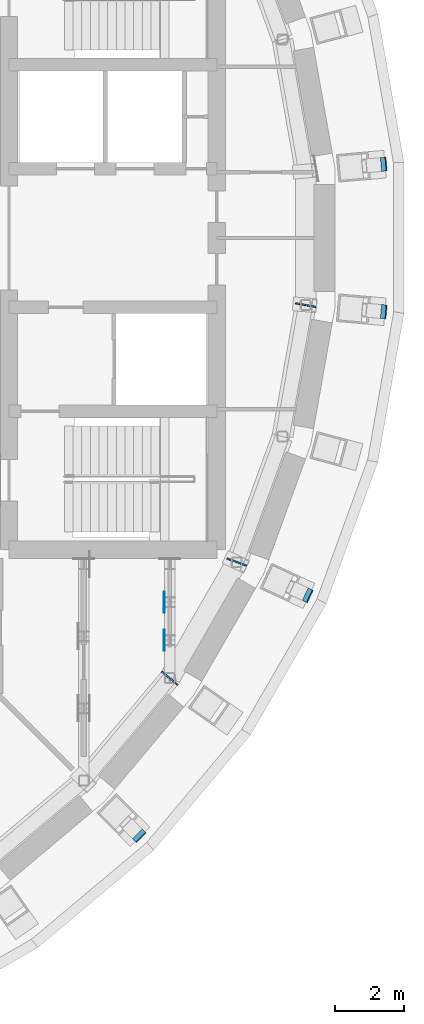
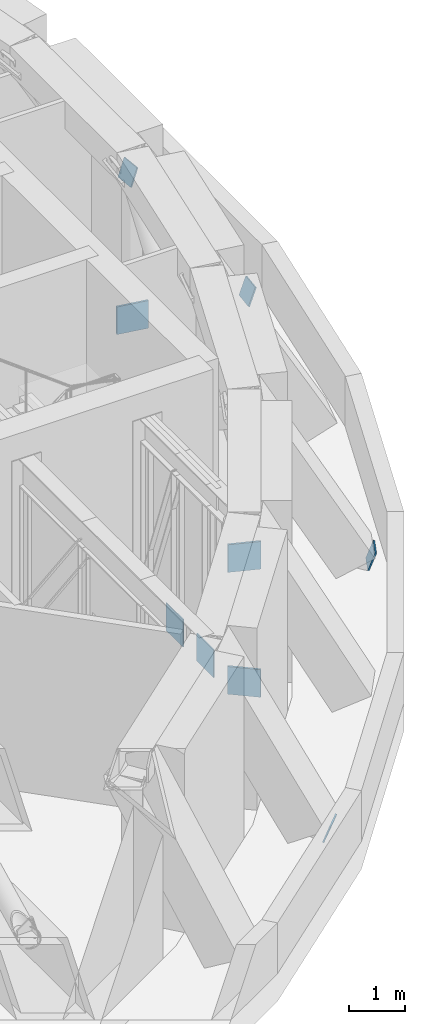
# One storey, part 18 of 20: 9 discrete accessories.
"""IFC4 building model written with IfcOpenShell, lengths in metres."""

from ifc_helpers import new_model, si_unit, direction, frame, origin, origin_2d, place, context, subcontext, project, spatial, rectangle, extrude, material, material_profile, profile_set, type_object, element, save


model = new_model("IFC4")

# Units and contexts
model_context = context("Model", 3, precision=1e-05, world=origin(), true_north=direction((0.0, 1.0)))
body_context = subcontext(model_context, "Body", "Model", "MODEL_VIEW")
ifc_project = project(units=[si_unit("LENGTHUNIT", "METRE"), si_unit("AREAUNIT", "SQUARE_METRE"), si_unit("VOLUMEUNIT", "CUBIC_METRE"), si_unit("PLANEANGLEUNIT", "RADIAN"), si_unit("MASSUNIT", "GRAM", prefix="KILO")], contexts=[model_context])

# Site, building, storey
site_placement = place(None, origin())
site = spatial("IfcSite", under=ifc_project, at=site_placement, CompositionType="ELEMENT")
building_placement = place(site_placement, origin())
building = spatial("IfcBuilding", under=site, at=building_placement, Name="Saqina Gate Tower", CompositionType="ELEMENT")
storey_placement = place(building_placement, frame((0.0, 0.0, 220.199951171875)))
storey = spatial("IfcBuildingStorey", under=building, at=storey_placement, Name="L63", CompositionType="ELEMENT", Elevation=220.199951171875)

# Discrete accessories
ifc_material_1 = material(Name="Steel S460", Category="steel")
ifc_material_profile_1 = material_profile(ifc_material_1, rectangle(XDim=0.39990234375, YDim=0.39990234375, at=origin_2d()), Name="STR-END PLATE-BOX 400x400x30")
ifc_profile_set_1 = profile_set([ifc_material_profile_1], Name="Steel S460")
discrete_accessory_type_1 = type_object("IfcDiscreteAccessoryType", Name="STR-END PLATE-BOX 400x400x30", PredefinedType="USERDEFINED", material=ifc_profile_set_1)
discrete_accessory_1_placement = place(storey_placement, frame((24.30712890625, 2.126708984375, 0.1884765625), z_axis=(0.938783330173, 0.081633333059, -0.33469666554), x_axis=(0.086629610545, -0.996240588702, -1.6447e-08)))
element("IfcDiscreteAccessory", 1, at=discrete_accessory_1_placement, inside=storey, type_object=discrete_accessory_type_1, Name="END PLATE NODE TIE BEAM L63 01 FOOT START", ObjectType="END PLATE", PredefinedType="USERDEFINED", context=body_context, shape_type="SweptSolid", body=[
    extrude(rectangle(XDim=0.39990234375, YDim=0.39990234375, at=origin_2d()), origin(), (0.0, 0.0, 1.0), 0.02978515625),
])
discrete_accessory_2_placement = place(storey_placement, frame((17.25341796875, -17.25341796875, 0.1884765625), z_axis=(0.666666666667, -0.666666666667, -0.333333333333), x_axis=(-0.707106781187, -0.707106781187, 0.0)))
element("IfcDiscreteAccessory", 2, at=discrete_accessory_2_placement, inside=storey, type_object=discrete_accessory_type_1, Name="END PLATE NODE TIE BEAM L63 32 FOOT START", ObjectType="END PLATE", PredefinedType="USERDEFINED", context=body_context, shape_type="SweptSolid", body=[
    extrude(rectangle(XDim=0.39990234375, YDim=0.39990234375, at=origin_2d()), origin(), (0.0, 0.0, 1.0), 0.030029296875),
])
for number, where, z_axis, x_axis, name in (
    (3, (22.114013671875, -10.311767578125, 0.1884765625), (0.852058384385, -0.401450584951, -0.335907632306), (-0.426216137466, -0.904621359555, -7.72641e-07), "END PLATE NODE TIE BEAM L63 34 FOOT START"),
    (4, (24.30712890625, -2.126708984375, 0.1884765625), (0.938783330173, -0.081633333059, -0.33469666554), (-0.086629610545, -0.996240588702, 1.6447e-08), "END PLATE NODE TIE BEAM L63 36 FOOT START"),
):
    element("IfcDiscreteAccessory", number, at=place(storey_placement, frame(where, z_axis=z_axis, x_axis=x_axis)), inside=storey, type_object=discrete_accessory_type_1, Name=name, ObjectType="END PLATE", PredefinedType="USERDEFINED", context=body_context, shape_type="SweptSolid", body=[
        extrude(rectangle(XDim=0.39990234375, YDim=0.39990234375, at=origin_2d()), origin(), (0.0, 0.0, 1.0), 0.02978515625),
    ])
ifc_material_2 = material(Name="Steel S460", Category="steel")
ifc_material_profile_2 = material_profile(ifc_material_2, rectangle(XDim=0.60009765625, YDim=0.60009765625, at=origin_2d()), Name="STR-END PLATE-BOX 600x600x40")
ifc_profile_set_2 = profile_set([ifc_material_profile_2], Name="Steel S460")
discrete_accessory_type_2 = type_object("IfcDiscreteAccessoryType", Name="STR-END PLATE-BOX 600x600x40", PredefinedType="USERDEFINED", material=ifc_profile_set_2)
for number, where, z_axis, x_axis, name in (
    (5, (18.12744140625, -12.724853515625, 0.300048828125), (0.640184399664, 0.768221279597, 0.0), (-0.768221279597, 0.640184399664, 0.0), "END PLATE BELT TRUSS L63 CHORD 074 END"),
    (6, (20.083740234375, -9.33642578125, 0.300048828125), (-0.341743063087, -0.939793423488, 0.0), (-0.939793423488, 0.341743063087, 0.0), "END PLATE BELT TRUSS L63 CHORD 078 START"),
    (7, (22.06103515625, -1.956298828125, 0.300048828125), (0.177271416395, 0.984162001364, 0.0), (-0.984162001364, 0.177271416395, 0.0), "END PLATE BELT TRUSS L63 CHORD 081 END"),
):
    element("IfcDiscreteAccessory", number, at=place(storey_placement, frame(where, z_axis=z_axis, x_axis=x_axis)), inside=storey, type_object=discrete_accessory_type_2, Name=name, ObjectType="END PLATE", PredefinedType="USERDEFINED", context=body_context, shape_type="SweptSolid", body=[
        extrude(rectangle(XDim=0.60009765625, YDim=0.60009765625, at=origin_2d()), origin(), (0.0, 0.0, 1.0), 0.0400390625),
    ])
ifc_material_3 = material(Name="Steel S460", Category="steel")
ifc_material_profile_3 = material_profile(ifc_material_3, rectangle(XDim=0.60009765625, YDim=0.60009765625, at=origin_2d()), Name="STR-END PLATE-GUSSET 600x600x20")
ifc_profile_set_3 = profile_set([ifc_material_profile_3], Name="Steel S460")
discrete_accessory_type_3 = type_object("IfcDiscreteAccessoryType", Name="STR-END PLATE-GUSSET 600x600x20", PredefinedType="USERDEFINED", material=ifc_profile_set_3)
for number, where, z_axis, x_axis, name in (
    (8, (17.994140625, -10.513671875, 0.25), (-1.0, 0.0, 0.0), (0.0, -1.0, 0.0), "GUSSET PLATE OUTRIGGER TRUSS L63 CHORD 130"),
    (9, (17.994140625, -11.609130859375, 0.25), (-1.0, 0.0, 0.0), (0.0, -1.0, 0.0), "GUSSET PLATE OUTRIGGER TRUSS L63 CHORD 134"),
):
    element("IfcDiscreteAccessory", number, at=place(storey_placement, frame(where, z_axis=z_axis, x_axis=x_axis)), inside=storey, type_object=discrete_accessory_type_3, Name=name, ObjectType="GUSSET PLATE", PredefinedType="USERDEFINED", context=body_context, shape_type="SweptSolid", body=[
        extrude(rectangle(XDim=0.60009765625, YDim=0.60009765625, at=origin_2d()), origin(), (0.0, 0.0, 1.0), 0.02001953125),
    ])

save(model, "model.ifc")
